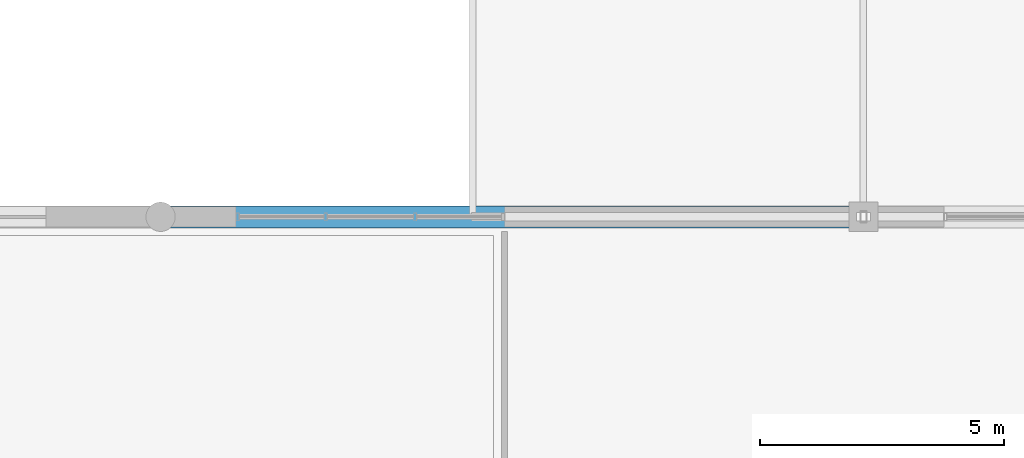
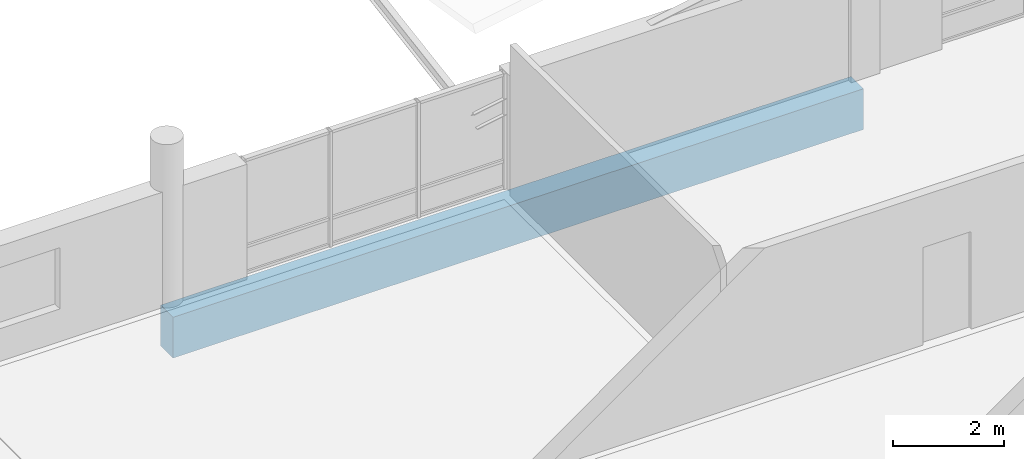
# One storey, part 83 of 189: 1 beam.
"""IFC4 building model written with IfcOpenShell, lengths in metres."""

from ifc_helpers import new_model, si_unit, direction, frame, origin, origin_2d, place, context, subcontext, project, spatial, rectangle, extrude, material, material_profile, profile_set, type_object, element, save


model = new_model("IFC4")

# Units and contexts
model_context = context("Model", 3, precision=1e-05, world=origin(), true_north=direction((0.0, 1.0)))
body_context = subcontext(model_context, "Body", "Model", "MODEL_VIEW")
ifc_project = project(units=[si_unit("LENGTHUNIT", "METRE"), si_unit("AREAUNIT", "SQUARE_METRE"), si_unit("VOLUMEUNIT", "CUBIC_METRE"), si_unit("PLANEANGLEUNIT", "RADIAN"), si_unit("MASSUNIT", "GRAM", prefix="KILO")], contexts=[model_context])

# Site, building, storey
site_placement = place(None, origin())
site = spatial("IfcSite", under=ifc_project, at=site_placement, CompositionType="ELEMENT")
building_placement = place(site_placement, origin())
building = spatial("IfcBuilding", under=site, at=building_placement, Name="Zavelmont Quarter", CompositionType="ELEMENT")
storey_placement = place(building_placement, frame((0.0, 0.0, 4.39990234375)))
storey = spatial("IfcBuildingStorey", under=building, at=storey_placement, Name="L01", CompositionType="ELEMENT", Elevation=4.39990234375)

# Beam
ifc_material = material(Name="Concrete C40/50", Category="concrete")
ifc_material_profile = material_profile(ifc_material, rectangle(XDim=0.449951171875, YDim=0.89990234375, at=origin_2d()), Name="RC450X900")
ifc_profile_set = profile_set([ifc_material_profile], Name="Concrete C40/50")
beam_type = type_object("IfcBeamType", Name="BM06", PredefinedType="BEAM", material=ifc_profile_set)
beam_placement = place(storey_placement, frame((69.60009765625, 86.0, -0.72998046875), z_axis=(1.0, 0.0, 0.0), x_axis=(0.0, 1.0, 0.0)))
element("IfcBeam", 1, at=beam_placement, inside=storey, type_object=beam_type, Name="L01 beam BM06 11/N to 13/N", PredefinedType="BEAM", context=body_context, shape_type="SweptSolid", body=[
    extrude(rectangle(XDim=0.449951171875, YDim=0.89990234375, at=origin_2d()), origin(), (0.0, 0.0, 1.0), 14.39990234375),
])

save(model, "model.ifc")
